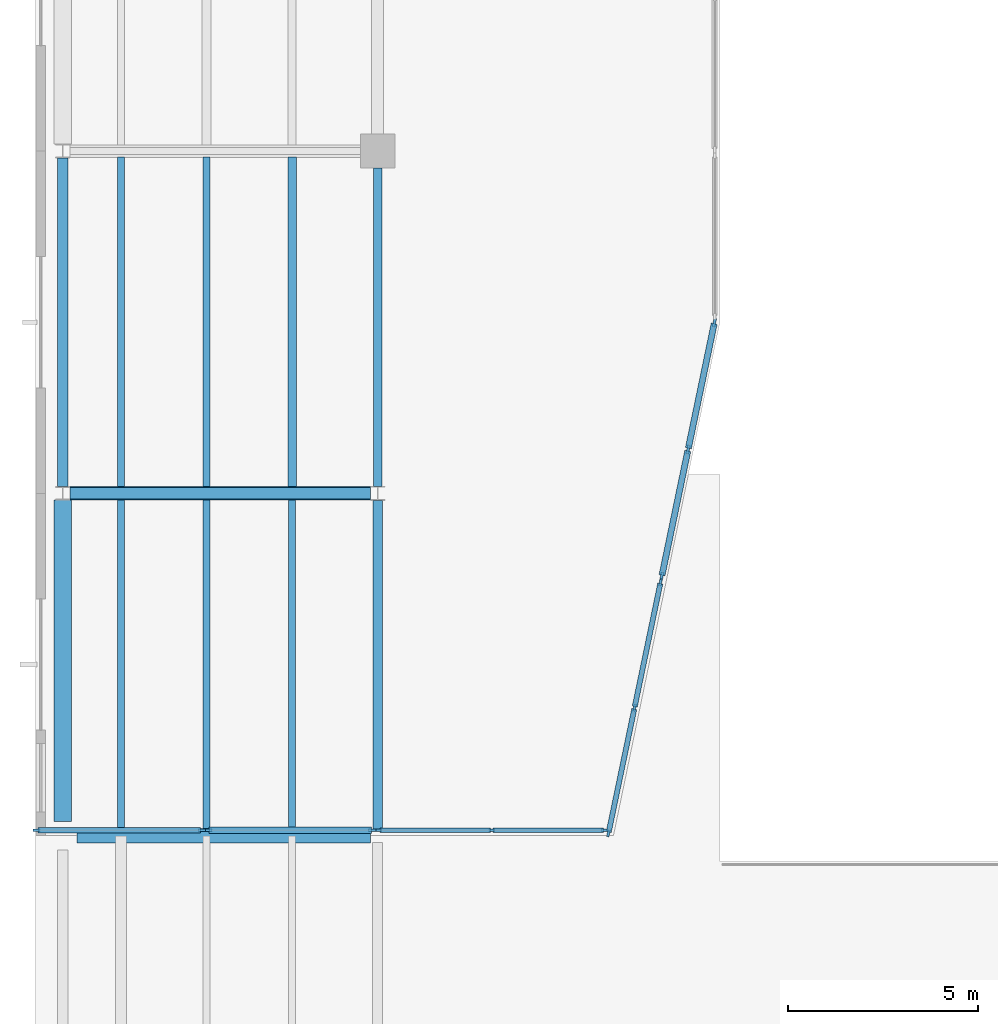
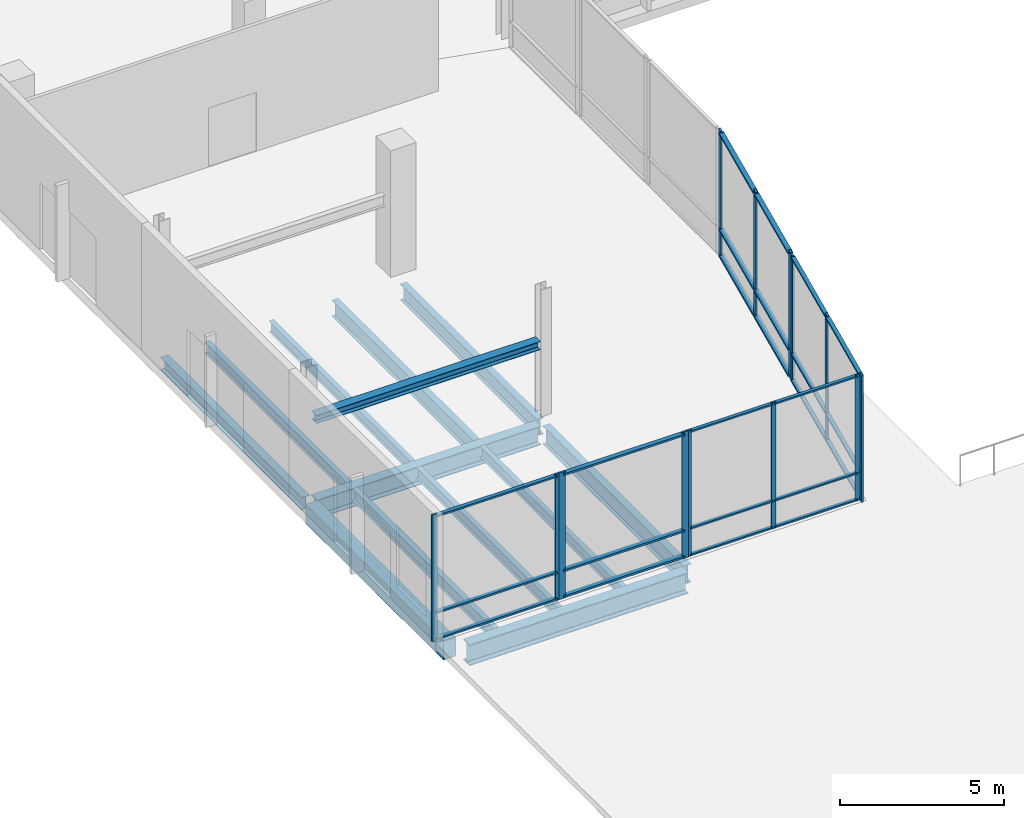
# One storey, part 18 of 88: 37 members, 13 beams, 5 elements without a shape of their own.
"""IFC4 building model written with IfcOpenShell, lengths in metres."""

from ifc_helpers import new_model, si_unit, direction, frame, origin, origin_2d, place, context, subcontext, project, spatial, rectangle, i_section, extrude, material, material_profile, profile_set, type_object, element, aggregate, save


model = new_model("IFC4")

# Units and contexts
model_context = context("Model", 3, precision=1e-05, world=origin(), true_north=direction((0.0, 1.0)))
body_context = subcontext(model_context, "Body", "Model", "MODEL_VIEW")
ifc_project = project(units=[si_unit("LENGTHUNIT", "METRE"), si_unit("AREAUNIT", "SQUARE_METRE"), si_unit("VOLUMEUNIT", "CUBIC_METRE"), si_unit("PLANEANGLEUNIT", "RADIAN"), si_unit("MASSUNIT", "GRAM", prefix="KILO")], contexts=[model_context])

# Site, building, storey
site_placement = place(None, origin())
site = spatial("IfcSite", under=ifc_project, at=site_placement, CompositionType="ELEMENT")
building_placement = place(site_placement, origin())
building = spatial("IfcBuilding", under=site, at=building_placement, Name="Trimount Lyric Opera House", CompositionType="ELEMENT")
storey_placement = place(building_placement, origin())
storey = spatial("IfcBuildingStorey", under=building, at=storey_placement, Name="L00", CompositionType="ELEMENT", Elevation=0.0)

# Beams
ifc_material_1 = material(Name="Steel ASTM A992 Grade 50", Category="steel")
ifc_material_profile_1 = material_profile(ifc_material_1, i_section(OverallWidth=0.382080078125, OverallDepth=0.779052734375, WebThickness=0.01806640625, FlangeThickness=0.0302734375, FilletRadius=0.01904296875, at=origin_2d()), Name="W30X191")
ifc_profile_set_1 = profile_set([ifc_material_profile_1], Name="Steel ASTM A992 Grade 50")
beam_type_1 = type_object("IfcBeamType", Name="B-06", PredefinedType="BEAM", material=ifc_profile_set_1)
beam_1_placement = place(storey_placement, frame((1.094970703125, 17.0, -0.7294921875), z_axis=(1.0, 0.0, 0.0), x_axis=(0.0, 1.0, 0.0)))
element("IfcBeam", 1, at=beam_1_placement, inside=storey, type_object=beam_type_1, Name="L00 girder X-0039", PredefinedType="BEAM", context=body_context, shape_type="SweptSolid", body=[
    extrude(i_section(OverallWidth=0.382080078125, OverallDepth=0.779052734375, WebThickness=0.01806640625, FlangeThickness=0.0302734375, FilletRadius=0.01904296875, at=origin_2d()), origin(), (0.0, 0.0, 1.0), 7.720947265625),
])
ifc_material_2 = material(Name="Steel ASTM A992 Grade 50", Category="steel")
ifc_material_profile_2 = material_profile(ifc_material_2, i_section(OverallWidth=0.35595703125, OverallDepth=0.700927734375, WebThickness=0.016845703125, FlangeThickness=0.02734375, FilletRadius=0.01806640625, at=origin_2d()), Name="W27X161")
ifc_profile_set_2 = profile_set([ifc_material_profile_2], Name="Steel ASTM A992 Grade 50")
beam_type_2 = type_object("IfcBeamType", Name="B-08", PredefinedType="BEAM", material=ifc_profile_set_2)
beam_2_placement = place(storey_placement, frame((0.904052734375, 26.0, -0.6904296875), z_axis=(1.0, 0.0, 0.0), x_axis=(0.0, 1.0, 0.0)))
element("IfcBeam", 2, at=beam_2_placement, inside=storey, type_object=beam_type_2, Name="L00 girder X-0054", PredefinedType="BEAM", context=body_context, shape_type="SweptSolid", body=[
    extrude(i_section(OverallWidth=0.35595703125, OverallDepth=0.700927734375, WebThickness=0.016845703125, FlangeThickness=0.02734375, FilletRadius=0.01806640625, at=origin_2d()), origin(), (0.0, 0.0, 1.0), 7.909423828125),
])
ifc_material_3 = material(Name="Steel ASTM A992 Grade 50", Category="steel")
ifc_material_profile_3 = material_profile(ifc_material_3, i_section(OverallWidth=0.25390625, OverallDepth=0.68798828125, WebThickness=0.01318359375, FlangeThickness=0.02099609375, FilletRadius=0.01611328125, at=origin_2d()), Name="W27X102")
ifc_profile_set_3 = profile_set([ifc_material_profile_3], Name="Steel ASTM A992 Grade 50")
beam_type_3 = type_object("IfcBeamType", Name="B-09", PredefinedType="BEAM", material=ifc_profile_set_3)
beam_3_placement = place(storey_placement, frame((9.0, 17.177978515625, -0.68408203125), z_axis=(0.0, 1.0, 0.0), x_axis=(-1.0, 0.0, 0.0)))
element("IfcBeam", 3, at=beam_3_placement, inside=storey, type_object=beam_type_3, Name="L00 girder Y-0252", PredefinedType="BEAM", context=body_context, shape_type="SweptSolid", body=[
    extrude(i_section(OverallWidth=0.25390625, OverallDepth=0.68798828125, WebThickness=0.01318359375, FlangeThickness=0.02099609375, FilletRadius=0.01611328125, at=origin_2d()), origin(), (0.0, 0.0, 1.0), 8.637939453125),
])
ifc_material_4 = material(Name="Steel ASTM A992 Grade 50", Category="steel")
ifc_material_profile_4 = material_profile(ifc_material_4, i_section(OverallWidth=0.22998046875, OverallDepth=0.616943359375, WebThickness=0.01318359375, FlangeThickness=0.022216796875, FilletRadius=0.013916015625, at=origin_2d()), Name="W24X94")
ifc_profile_set_4 = profile_set([ifc_material_profile_4], Name="Steel ASTM A992 Grade 50")
beam_type_4 = type_object("IfcBeamType", Name="B-11", PredefinedType="BEAM", material=ifc_profile_set_4)
beam_4_placement = place(storey_placement, frame((9.0, 26.18408203125, -0.6484375), z_axis=(0.0, 1.0, 0.0), x_axis=(-1.0, 0.0, 0.0)))
element("IfcBeam", 4, at=beam_4_placement, inside=storey, type_object=beam_type_4, Name="L00 girder Y-0253", PredefinedType="BEAM", context=body_context, shape_type="SweptSolid", body=[
    extrude(i_section(OverallWidth=0.22998046875, OverallDepth=0.616943359375, WebThickness=0.01318359375, FlangeThickness=0.022216796875, FilletRadius=0.013916015625, at=origin_2d()), origin(), (0.0, 0.0, 1.0), 8.365966796875),
])
ifc_material_5 = material(Name="Steel ASTM A992 Grade 50", Category="steel")
ifc_material_profile_5 = material_profile(ifc_material_5, i_section(OverallWidth=0.22802734375, OverallDepth=0.60205078125, WebThickness=0.010498046875, FlangeThickness=0.014892578125, FilletRadius=0.012939453125, at=origin_2d()), Name="W24X68")
ifc_profile_set_5 = profile_set([ifc_material_profile_5], Name="Steel ASTM A992 Grade 50")
beam_type_5 = type_object("IfcBeamType", Name="J-01", PredefinedType="BEAM", material=ifc_profile_set_5)
beam_5_placement = place(storey_placement, frame((6.75, 26.174072265625, -0.64111328125), z_axis=(0.0, 1.0, 0.0), x_axis=(-1.0, 0.0, 0.0)))
element("IfcBeam", 5, at=beam_5_placement, inside=storey, type_object=beam_type_5, Name="L00 composite floor joist 0012", PredefinedType="BEAM", context=body_context, shape_type="SweptSolid", body=[
    extrude(i_section(OverallWidth=0.22802734375, OverallDepth=0.60205078125, WebThickness=0.010498046875, FlangeThickness=0.014892578125, FilletRadius=0.012939453125, at=origin_2d()), origin(), (0.0, 0.0, 1.0), 8.666015625),
])
ifc_material_6 = material(Name="Steel ASTM A992 Grade 50", Category="steel")
ifc_material_profile_6 = material_profile(ifc_material_6, i_section(OverallWidth=0.19091796875, OverallDepth=0.45703125, WebThickness=0.009033203125, FlangeThickness=0.014404296875, FilletRadius=0.010986328125, at=origin_2d()), Name="W18X50")
ifc_profile_set_6 = profile_set([ifc_material_profile_6], Name="Steel ASTM A992 Grade 50")
beam_type_6 = type_object("IfcBeamType", Name="J-04", PredefinedType="BEAM", material=ifc_profile_set_6)
beam_6_placement = place(storey_placement, frame((2.25, 17.18701171875, -0.568603515625), z_axis=(0.0, 1.0, 0.0), x_axis=(-1.0, 0.0, 0.0)))
element("IfcBeam", 6, at=beam_6_placement, inside=storey, type_object=beam_type_6, Name="L00 composite floor joist 0007", PredefinedType="BEAM", context=body_context, shape_type="SweptSolid", body=[
    extrude(i_section(OverallWidth=0.19091796875, OverallDepth=0.45703125, WebThickness=0.009033203125, FlangeThickness=0.014404296875, FilletRadius=0.010986328125, at=origin_2d()), origin(), (0.0, 0.0, 1.0), 8.638916015625),
])
ifc_material_7 = material(Name="Steel ASTM A992 Grade 50", Category="steel")
ifc_material_profile_7 = material_profile(ifc_material_7, i_section(OverallWidth=0.180908203125, OverallDepth=0.4169921875, WebThickness=0.010986328125, FlangeThickness=0.018310546875, FilletRadius=0.010986328125, at=origin_2d()), Name="W16X57")
ifc_profile_set_7 = profile_set([ifc_material_profile_7], Name="Steel ASTM A992 Grade 50")
beam_type_7 = type_object("IfcBeamType", Name="J-05", PredefinedType="BEAM", material=ifc_profile_set_7)
beam_7_placement = place(storey_placement, frame((4.5, 17.18701171875, -0.548583984375), z_axis=(0.0, 1.0, 0.0), x_axis=(-1.0, 0.0, 0.0)))
element("IfcBeam", 7, at=beam_7_placement, inside=storey, type_object=beam_type_7, Name="L00 composite floor joist 0008", PredefinedType="BEAM", context=body_context, shape_type="SweptSolid", body=[
    extrude(i_section(OverallWidth=0.180908203125, OverallDepth=0.4169921875, WebThickness=0.010986328125, FlangeThickness=0.018310546875, FilletRadius=0.010986328125, at=origin_2d()), origin(), (0.0, 0.0, 1.0), 8.638916015625),
])
beam_8_placement = place(storey_placement, frame((2.25, 26.174072265625, -0.548583984375), z_axis=(0.0, 1.0, 0.0), x_axis=(-1.0, 0.0, 0.0)))
element("IfcBeam", 8, at=beam_8_placement, inside=storey, type_object=beam_type_7, Name="L00 composite floor joist 0010", PredefinedType="BEAM", context=body_context, shape_type="SweptSolid", body=[
    extrude(i_section(OverallWidth=0.180908203125, OverallDepth=0.4169921875, WebThickness=0.010986328125, FlangeThickness=0.018310546875, FilletRadius=0.010986328125, at=origin_2d()), origin(), (0.0, 0.0, 1.0), 8.666015625),
])
ifc_material_8 = material(Name="Steel ASTM A992 Grade 50", Category="steel")
ifc_material_profile_8 = material_profile(ifc_material_8, i_section(OverallWidth=0.177978515625, OverallDepth=0.404052734375, WebThickness=0.007568359375, FlangeThickness=0.010986328125, FilletRadius=0.010009765625, at=origin_2d()), Name="W16X36")
ifc_profile_set_8 = profile_set([ifc_material_profile_8], Name="Steel ASTM A992 Grade 50")
beam_type_8 = type_object("IfcBeamType", Name="J-06", PredefinedType="BEAM", material=ifc_profile_set_8)
beam_9_placement = place(storey_placement, frame((6.75, 17.18701171875, -0.5419921875), z_axis=(0.0, 1.0, 0.0), x_axis=(-1.0, 0.0, 0.0)))
element("IfcBeam", 9, at=beam_9_placement, inside=storey, type_object=beam_type_8, Name="L00 composite floor joist 0009", PredefinedType="BEAM", context=body_context, shape_type="SweptSolid", body=[
    extrude(i_section(OverallWidth=0.177978515625, OverallDepth=0.404052734375, WebThickness=0.007568359375, FlangeThickness=0.010986328125, FilletRadius=0.010009765625, at=origin_2d()), origin(), (0.0, 0.0, 1.0), 8.638916015625),
])
beam_10_placement = place(storey_placement, frame((4.5, 26.174072265625, -0.5419921875), z_axis=(0.0, 1.0, 0.0), x_axis=(-1.0, 0.0, 0.0)))
element("IfcBeam", 10, at=beam_10_placement, inside=storey, type_object=beam_type_8, Name="L00 composite floor joist 0011", PredefinedType="BEAM", context=body_context, shape_type="SweptSolid", body=[
    extrude(i_section(OverallWidth=0.177978515625, OverallDepth=0.404052734375, WebThickness=0.007568359375, FlangeThickness=0.010986328125, FilletRadius=0.010009765625, at=origin_2d()), origin(), (0.0, 0.0, 1.0), 8.666015625),
])
ifc_material_9 = material(Name="Steel ASTM A992 Grade 50", Category="steel")
ifc_material_profile_9 = material_profile(ifc_material_9, i_section(OverallWidth=0.304931640625, OverallDepth=0.306884765625, WebThickness=0.010009765625, FlangeThickness=0.015380859375, FilletRadius=0.012939453125, at=origin_2d()), Name="W12X65")
ifc_profile_set_9 = profile_set([ifc_material_profile_9], Name="Steel ASTM A992 Grade 50")
beam_type_9 = type_object("IfcBeamType", Name="LN-01", PredefinedType="LINTEL", material=ifc_profile_set_9)
beam_11_placement = place(storey_placement, frame((0.904052734375, 26.0, 2.64990234375), z_axis=(1.0, 0.0, 0.0), x_axis=(0.0, 1.0, 0.0)))
element("IfcBeam", 11, at=beam_11_placement, inside=storey, type_object=beam_type_9, Name="L00 interior portal lintel 01", PredefinedType="LINTEL", context=body_context, shape_type="SweptSolid", body=[
    extrude(i_section(OverallWidth=0.304931640625, OverallDepth=0.306884765625, WebThickness=0.010009765625, FlangeThickness=0.015380859375, FilletRadius=0.012939453125, at=origin_2d()), origin(), (0.0, 0.0, 1.0), 7.909423828125),
])

# Curtain wall, members
ifc_material_10 = material(Name="Thermally Broken Aluminium and Low-E Glass", Category="aluminium")
curtain_wall_type = type_object("IfcCurtainWallType", Name="CW-04", PredefinedType="NOTDEFINED", material=ifc_material_10)
curtain_wall_1_placement = place(storey_placement, origin())
curtain_wall_1 = element("IfcCurtainWall", 12, at=curtain_wall_1_placement, inside=storey, type_object=curtain_wall_type, Name="L00 curtain wall 009", PredefinedType="NOTDEFINED")
ifc_material_11 = material(Name="Anodised Aluminium 6063-T6", Category="aluminium")
ifc_material_profile_10 = material_profile(ifc_material_11, rectangle(XDim=0.070068359375, YDim=0.219970703125, at=origin_2d()), Name="ALU-MULL-70X220")
ifc_profile_set_10 = profile_set([ifc_material_profile_10], Name="Anodised Aluminium 6063-T6")
member_type_1 = type_object("IfcMemberType", Name="ML-01", PredefinedType="MULLION", material=ifc_profile_set_10)
member_1_placement = place(storey_placement, frame((17.85595703125, 30.49365234375, 0.0), z_axis=(0.0, 0.0, 1.0), x_axis=(0.979161058539, -0.203085256582, 0.0)))
member_1 = element("IfcMember", 13, at=member_1_placement, type_object=member_type_1, Name="CW-04 mullion 1", PredefinedType="MULLION", context=body_context, shape_type="SweptSolid", body=[
    extrude(rectangle(XDim=0.070068359375, YDim=0.219970703125, at=origin_2d()), origin(), (0.0, 0.0, 1.0), 4.719970703125),
])
member_2_placement = place(storey_placement, frame((17.1630859375, 27.153076171875, 0.0), z_axis=(0.0, 0.0, 1.0), x_axis=(0.979161058539, -0.203085256582, 0.0)))
member_2 = element("IfcMember", 14, at=member_2_placement, type_object=member_type_1, Name="CW-04 mullion 2", PredefinedType="MULLION", context=body_context, shape_type="SweptSolid", body=[
    extrude(rectangle(XDim=0.070068359375, YDim=0.219970703125, at=origin_2d()), origin(), (0.0, 0.0, 1.0), 4.719970703125),
])
member_3_placement = place(storey_placement, frame((16.47021484375, 23.812255859375, 0.0), z_axis=(0.0, 0.0, 1.0), x_axis=(0.979161058539, -0.203085256582, 0.0)))
member_3 = element("IfcMember", 15, at=member_3_placement, type_object=member_type_1, Name="CW-04 mullion 3", PredefinedType="MULLION", context=body_context, shape_type="SweptSolid", body=[
    extrude(rectangle(XDim=0.070068359375, YDim=0.219970703125, at=origin_2d()), origin(), (0.0, 0.0, 1.0), 4.719970703125),
])

curtain_wall_2_placement = place(storey_placement, origin())
curtain_wall_2 = element("IfcCurtainWall", 16, at=curtain_wall_2_placement, inside=storey, type_object=curtain_wall_type, Name="L00 curtain wall 012", PredefinedType="NOTDEFINED")
member_4_placement = place(storey_placement, frame((8.875, 17.139892578125, 0.0), z_axis=(0.0, 0.0, 1.0), x_axis=(0.0, -1.0, 0.0)))
member_4 = element("IfcMember", 17, at=member_4_placement, type_object=member_type_1, Name="CW-04 mullion 1", PredefinedType="MULLION", context=body_context, shape_type="SweptSolid", body=[
    extrude(rectangle(XDim=0.070068359375, YDim=0.219970703125, at=origin_2d()), origin(), (0.0, 0.0, 1.0), 4.719970703125),
])
member_5_placement = place(storey_placement, frame((4.534912109375, 17.139892578125, 0.0), z_axis=(0.0, 0.0, 1.0), x_axis=(0.0, -1.0, 0.0)))
member_5 = element("IfcMember", 18, at=member_5_placement, type_object=member_type_1, Name="CW-04 mullion 2", PredefinedType="MULLION", context=body_context, shape_type="SweptSolid", body=[
    extrude(rectangle(XDim=0.070068359375, YDim=0.219970703125, at=origin_2d()), origin(), (0.0, 0.0, 1.0), 4.719970703125),
])

curtain_wall_3_placement = place(storey_placement, origin())
curtain_wall_3 = element("IfcCurtainWall", 19, at=curtain_wall_3_placement, inside=storey, type_object=curtain_wall_type, Name="L00 curtain wall 010", PredefinedType="NOTDEFINED")
ifc_material_12 = material(Name="Anodised Aluminium 6063-T6", Category="aluminium")
ifc_material_profile_11 = material_profile(ifc_material_12, rectangle(XDim=0.06494140625, YDim=0.179931640625, at=origin_2d()), Name="ALU-MULL-65X180")
ifc_profile_set_11 = profile_set([ifc_material_profile_11], Name="Anodised Aluminium 6063-T6")
member_type_2 = type_object("IfcMemberType", Name="ML-02", PredefinedType="MULLION", material=ifc_profile_set_11)
member_6_placement = place(storey_placement, frame((16.4384765625, 23.658203125, 0.0), z_axis=(0.0, 0.0, 1.0), x_axis=(0.979153697115, -0.203120745927, 0.0)))
member_6 = element("IfcMember", 20, at=member_6_placement, type_object=member_type_2, Name="CW-04 mullion 1", PredefinedType="MULLION", context=body_context, shape_type="SweptSolid", body=[
    extrude(rectangle(XDim=0.06494140625, YDim=0.179931640625, at=origin_2d()), origin(), (0.0, 0.0, 1.0), 4.719970703125),
])
member_7_placement = place(storey_placement, frame((15.75390625, 20.35888671875, 0.0), z_axis=(0.0, 0.0, 1.0), x_axis=(0.979153697115, -0.203120745927, 0.0)))
member_7 = element("IfcMember", 21, at=member_7_placement, type_object=member_type_2, Name="CW-04 mullion 2", PredefinedType="MULLION", context=body_context, shape_type="SweptSolid", body=[
    extrude(rectangle(XDim=0.06494140625, YDim=0.179931640625, at=origin_2d()), origin(), (0.0, 0.0, 1.0), 4.719970703125),
])
member_8_placement = place(storey_placement, frame((15.069580078125, 17.059814453125, 0.0), z_axis=(0.0, 0.0, 1.0), x_axis=(0.979153697115, -0.203120745927, 0.0)))
member_8 = element("IfcMember", 22, at=member_8_placement, type_object=member_type_2, Name="CW-04 mullion 3", PredefinedType="MULLION", context=body_context, shape_type="SweptSolid", body=[
    extrude(rectangle(XDim=0.06494140625, YDim=0.179931640625, at=origin_2d()), origin(), (0.0, 0.0, 1.0), 4.719970703125),
])

curtain_wall_4_placement = place(storey_placement, origin())
curtain_wall_4 = element("IfcCurtainWall", 23, at=curtain_wall_4_placement, inside=storey, type_object=curtain_wall_type, Name="L00 curtain wall 013", PredefinedType="NOTDEFINED")
member_9_placement = place(storey_placement, frame((4.37744140625, 17.139892578125, 0.0), z_axis=(0.0, 0.0, 1.0), x_axis=(0.0, -1.0, 0.0)))
member_9 = element("IfcMember", 24, at=member_9_placement, type_object=member_type_2, Name="CW-04 mullion 1", PredefinedType="MULLION", context=body_context, shape_type="SweptSolid", body=[
    extrude(rectangle(XDim=0.06494140625, YDim=0.179931640625, at=origin_2d()), origin(), (0.0, 0.0, 1.0), 4.719970703125),
])
member_10_placement = place(storey_placement, frame((0.032470703125, 17.139892578125, 0.0), z_axis=(0.0, 0.0, 1.0), x_axis=(0.0, -1.0, 0.0)))
member_10 = element("IfcMember", 25, at=member_10_placement, type_object=member_type_2, Name="CW-04 mullion 2", PredefinedType="MULLION", context=body_context, shape_type="SweptSolid", body=[
    extrude(rectangle(XDim=0.06494140625, YDim=0.179931640625, at=origin_2d()), origin(), (0.0, 0.0, 1.0), 4.719970703125),
])

curtain_wall_5_placement = place(storey_placement, origin())
curtain_wall_5 = element("IfcCurtainWall", 26, at=curtain_wall_5_placement, inside=storey, type_object=curtain_wall_type, Name="L00 curtain wall 011", PredefinedType="NOTDEFINED")
ifc_material_13 = material(Name="Anodised Aluminium 6063-T6", Category="aluminium")
ifc_material_profile_12 = material_profile(ifc_material_13, rectangle(XDim=0.06005859375, YDim=0.14990234375, at=origin_2d()), Name="ALU-MULL-60X150")
ifc_profile_set_12 = profile_set([ifc_material_profile_12], Name="Anodised Aluminium 6063-T6")
member_type_3 = type_object("IfcMemberType", Name="ML-03", PredefinedType="MULLION", material=ifc_profile_set_12)
member_11_placement = place(storey_placement, frame((14.964111328125, 17.139892578125, 0.0), z_axis=(0.0, 0.0, 1.0), x_axis=(0.0, -1.0, 0.0)))
member_11 = element("IfcMember", 27, at=member_11_placement, type_object=member_type_3, Name="CW-04 mullion 1", PredefinedType="MULLION", context=body_context, shape_type="SweptSolid", body=[
    extrude(rectangle(XDim=0.06005859375, YDim=0.14990234375, at=origin_2d()), origin(), (0.0, 0.0, 1.0), 4.719970703125),
])
member_12_placement = place(storey_placement, frame((11.9970703125, 17.139892578125, 0.0), z_axis=(0.0, 0.0, 1.0), x_axis=(0.0, -1.0, 0.0)))
member_12 = element("IfcMember", 28, at=member_12_placement, type_object=member_type_3, Name="CW-04 mullion 2", PredefinedType="MULLION", context=body_context, shape_type="SweptSolid", body=[
    extrude(rectangle(XDim=0.06005859375, YDim=0.14990234375, at=origin_2d()), origin(), (0.0, 0.0, 1.0), 4.719970703125),
])
member_13_placement = place(storey_placement, frame((9.030029296875, 17.139892578125, 0.0), z_axis=(0.0, 0.0, 1.0), x_axis=(0.0, -1.0, 0.0)))
member_13 = element("IfcMember", 29, at=member_13_placement, type_object=member_type_3, Name="CW-04 mullion 3", PredefinedType="MULLION", context=body_context, shape_type="SweptSolid", body=[
    extrude(rectangle(XDim=0.06005859375, YDim=0.14990234375, at=origin_2d()), origin(), (0.0, 0.0, 1.0), 4.719970703125),
])

# Beams
ifc_material_14 = material(Name="Steel ASTM A992 Grade 50", Category="steel")
ifc_material_profile_13 = material_profile(ifc_material_14, i_section(OverallWidth=0.281982421875, OverallDepth=0.467041015625, WebThickness=0.01220703125, FlangeThickness=0.01953125, FilletRadius=0.012939453125, at=origin_2d()), Name="W18X86")
ifc_profile_set_13 = profile_set([ifc_material_profile_13], Name="Steel ASTM A992 Grade 50")
beam_type_10 = type_object("IfcBeamType", Name="SP-01", PredefinedType="SPANDREL", material=ifc_profile_set_13)
beam_12_placement = place(storey_placement, frame((0.719970703125, 26.177978515625, -0.573486328125), z_axis=(0.0, 1.0, 0.0), x_axis=(-1.0, 0.0, 0.0)))
element("IfcBeam", 30, at=beam_12_placement, inside=storey, type_object=beam_type_10, Name="L00 girder Y-0240", PredefinedType="SPANDREL", context=body_context, shape_type="SweptSolid", body=[
    extrude(i_section(OverallWidth=0.281982421875, OverallDepth=0.467041015625, WebThickness=0.01220703125, FlangeThickness=0.01953125, FilletRadius=0.012939453125, at=origin_2d()), origin(), (0.0, 0.0, 1.0), 8.637939453125),
])
ifc_material_15 = material(Name="Concrete C40/50", Category="concrete")
ifc_material_profile_14 = material_profile(ifc_material_15, rectangle(XDim=0.449951171875, YDim=0.699951171875, at=origin_2d()), Name="RC450X700")
ifc_profile_set_14 = profile_set([ifc_material_profile_14], Name="Concrete C40/50")
beam_type_11 = type_object("IfcBeamType", Name="SP-02", PredefinedType="SPANDREL", material=ifc_profile_set_14)
beam_13_placement = place(storey_placement, frame((0.719970703125, 17.375, -0.68994140625), z_axis=(0.0, 1.0, 0.0), x_axis=(-1.0, 0.0, 0.0)))
element("IfcBeam", 31, at=beam_13_placement, inside=storey, type_object=beam_type_11, Name="L00 girder Y-0239", PredefinedType="SPANDREL", context=body_context, shape_type="SweptSolid", body=[
    extrude(rectangle(XDim=0.449951171875, YDim=0.699951171875, at=origin_2d()), origin(), (0.0, 0.0, 1.0), 8.447021484375),
])

# Member
ifc_material_16 = material(Name="Anodised Aluminium 6063-T6", Category="aluminium")
ifc_material_profile_15 = material_profile(ifc_material_16, rectangle(XDim=0.159912109375, YDim=0.070068359375, at=origin_2d()), Name="ALU-TRAN-70X160")
ifc_profile_set_15 = profile_set([ifc_material_profile_15], Name="Anodised Aluminium 6063-T6")
member_type_4 = type_object("IfcMemberType", Name="TR-01", PredefinedType="USERDEFINED", material=ifc_profile_set_15)
member_14_placement = place(storey_placement, frame((17.848876953125, 30.45947265625, 0.080078125), z_axis=(-0.203093557873, -0.979159336753, 0.0), x_axis=(0.979159336753, -0.203093557873, 0.0)))
member_14 = element("IfcMember", 32, at=member_14_placement, type_object=member_type_4, Name="CW-04 transom 1.1", ObjectType="TRANSOM", PredefinedType="USERDEFINED", context=body_context, shape_type="SweptSolid", body=[
    extrude(rectangle(XDim=0.159912109375, YDim=0.070068359375, at=origin_2d()), origin(), (0.0, 0.0, 1.0), 3.341796875),
])

member_15_placement = place(storey_placement, frame((17.848876953125, 30.45947265625, 1.050048828125), z_axis=(-0.203093557873, -0.979159336753, 0.0), x_axis=(0.979159336753, -0.203093557873, 0.0)))
member_15 = element("IfcMember", 33, at=member_15_placement, type_object=member_type_4, Name="CW-04 transom 1.2", ObjectType="TRANSOM", PredefinedType="USERDEFINED", context=body_context, shape_type="SweptSolid", body=[
    extrude(rectangle(XDim=0.159912109375, YDim=0.070068359375, at=origin_2d()), origin(), (0.0, 0.0, 1.0), 3.341796875),
])

member_16_placement = place(storey_placement, frame((17.848876953125, 30.45947265625, 4.639892578125), z_axis=(-0.203093557873, -0.979159336753, 0.0), x_axis=(0.979159336753, -0.203093557873, 0.0)))
member_16 = element("IfcMember", 34, at=member_16_placement, type_object=member_type_4, Name="CW-04 transom 1.3", ObjectType="TRANSOM", PredefinedType="USERDEFINED", context=body_context, shape_type="SweptSolid", body=[
    extrude(rectangle(XDim=0.159912109375, YDim=0.070068359375, at=origin_2d()), origin(), (0.0, 0.0, 1.0), 3.341796875),
])

member_17_placement = place(storey_placement, frame((17.156005859375, 27.11865234375, 0.080078125), z_axis=(-0.203093557873, -0.979159336753, 0.0), x_axis=(0.979159336753, -0.203093557873, 0.0)))
member_17 = element("IfcMember", 35, at=member_17_placement, type_object=member_type_4, Name="CW-04 transom 2.1", ObjectType="TRANSOM", PredefinedType="USERDEFINED", context=body_context, shape_type="SweptSolid", body=[
    extrude(rectangle(XDim=0.159912109375, YDim=0.070068359375, at=origin_2d()), origin(), (0.0, 0.0, 1.0), 3.341796875),
])

member_18_placement = place(storey_placement, frame((17.156005859375, 27.11865234375, 1.050048828125), z_axis=(-0.203093557873, -0.979159336753, 0.0), x_axis=(0.979159336753, -0.203093557873, 0.0)))
member_18 = element("IfcMember", 36, at=member_18_placement, type_object=member_type_4, Name="CW-04 transom 2.2", ObjectType="TRANSOM", PredefinedType="USERDEFINED", context=body_context, shape_type="SweptSolid", body=[
    extrude(rectangle(XDim=0.159912109375, YDim=0.070068359375, at=origin_2d()), origin(), (0.0, 0.0, 1.0), 3.341796875),
])

member_19_placement = place(storey_placement, frame((17.156005859375, 27.11865234375, 4.639892578125), z_axis=(-0.203093557873, -0.979159336753, 0.0), x_axis=(0.979159336753, -0.203093557873, 0.0)))
member_19 = element("IfcMember", 37, at=member_19_placement, type_object=member_type_4, Name="CW-04 transom 2.3", ObjectType="TRANSOM", PredefinedType="USERDEFINED", context=body_context, shape_type="SweptSolid", body=[
    extrude(rectangle(XDim=0.159912109375, YDim=0.070068359375, at=origin_2d()), origin(), (0.0, 0.0, 1.0), 3.341796875),
])

aggregate(curtain_wall_1, [member_1, member_2, member_3, member_14, member_15, member_16, member_17, member_18, member_19])

member_20_placement = place(storey_placement, frame((8.840087890625, 17.139892578125, 0.080078125), z_axis=(-1.0, 0.0, 0.0), x_axis=(0.0, -1.0, 0.0)))
member_20 = element("IfcMember", 38, at=member_20_placement, type_object=member_type_4, Name="CW-04 transom 1.1", ObjectType="TRANSOM", PredefinedType="USERDEFINED", context=body_context, shape_type="SweptSolid", body=[
    extrude(rectangle(XDim=0.159912109375, YDim=0.070068359375, at=origin_2d()), origin(), (0.0, 0.0, 1.0), 4.27001953125),
])

member_21_placement = place(storey_placement, frame((8.840087890625, 17.139892578125, 1.050048828125), z_axis=(-1.0, 0.0, 0.0), x_axis=(0.0, -1.0, 0.0)))
member_21 = element("IfcMember", 39, at=member_21_placement, type_object=member_type_4, Name="CW-04 transom 1.2", ObjectType="TRANSOM", PredefinedType="USERDEFINED", context=body_context, shape_type="SweptSolid", body=[
    extrude(rectangle(XDim=0.159912109375, YDim=0.070068359375, at=origin_2d()), origin(), (0.0, 0.0, 1.0), 4.27001953125),
])

member_22_placement = place(storey_placement, frame((8.840087890625, 17.139892578125, 4.639892578125), z_axis=(-1.0, 0.0, 0.0), x_axis=(0.0, -1.0, 0.0)))
member_22 = element("IfcMember", 40, at=member_22_placement, type_object=member_type_4, Name="CW-04 transom 1.3", ObjectType="TRANSOM", PredefinedType="USERDEFINED", context=body_context, shape_type="SweptSolid", body=[
    extrude(rectangle(XDim=0.159912109375, YDim=0.070068359375, at=origin_2d()), origin(), (0.0, 0.0, 1.0), 4.27001953125),
])

aggregate(curtain_wall_2, [member_4, member_5, member_20, member_21, member_22])

ifc_material_17 = material(Name="Anodised Aluminium 6063-T6", Category="aluminium")
ifc_material_profile_16 = material_profile(ifc_material_17, rectangle(XDim=0.135009765625, YDim=0.06494140625, at=origin_2d()), Name="ALU-TRAN-65X135")
ifc_profile_set_16 = profile_set([ifc_material_profile_16], Name="Anodised Aluminium 6063-T6")
member_type_5 = type_object("IfcMemberType", Name="TR-02", PredefinedType="USERDEFINED", material=ifc_profile_set_16)
member_23_placement = place(storey_placement, frame((16.431884765625, 23.62646484375, 0.0673828125), z_axis=(-0.203172355051, -0.979142989631, 0.0), x_axis=(0.979142989631, -0.203172355051, 0.0)))
member_23 = element("IfcMember", 41, at=member_23_placement, type_object=member_type_5, Name="CW-04 transom 1.1", ObjectType="TRANSOM", PredefinedType="USERDEFINED", context=body_context, shape_type="SweptSolid", body=[
    extrude(rectangle(XDim=0.135009765625, YDim=0.06494140625, at=origin_2d()), origin(), (0.0, 0.0, 1.0), 3.304443359375),
])

member_24_placement = place(storey_placement, frame((16.431884765625, 23.62646484375, 1.050048828125), z_axis=(-0.203172355051, -0.979142989631, 0.0), x_axis=(0.979142989631, -0.203172355051, 0.0)))
member_24 = element("IfcMember", 42, at=member_24_placement, type_object=member_type_5, Name="CW-04 transom 1.2", ObjectType="TRANSOM", PredefinedType="USERDEFINED", context=body_context, shape_type="SweptSolid", body=[
    extrude(rectangle(XDim=0.135009765625, YDim=0.06494140625, at=origin_2d()), origin(), (0.0, 0.0, 1.0), 3.304443359375),
])

member_25_placement = place(storey_placement, frame((16.431884765625, 23.62646484375, 4.652587890625), z_axis=(-0.203172355051, -0.979142989631, 0.0), x_axis=(0.979142989631, -0.203172355051, 0.0)))
member_25 = element("IfcMember", 43, at=member_25_placement, type_object=member_type_5, Name="CW-04 transom 1.3", ObjectType="TRANSOM", PredefinedType="USERDEFINED", context=body_context, shape_type="SweptSolid", body=[
    extrude(rectangle(XDim=0.135009765625, YDim=0.06494140625, at=origin_2d()), origin(), (0.0, 0.0, 1.0), 3.304443359375),
])

member_26_placement = place(storey_placement, frame((15.747314453125, 20.3271484375, 0.0673828125), z_axis=(-0.203101522328, -0.979157684762, 0.0), x_axis=(0.979157684762, -0.203101522328, 0.0)))
member_26 = element("IfcMember", 44, at=member_26_placement, type_object=member_type_5, Name="CW-04 transom 2.1", ObjectType="TRANSOM", PredefinedType="USERDEFINED", context=body_context, shape_type="SweptSolid", body=[
    extrude(rectangle(XDim=0.135009765625, YDim=0.06494140625, at=origin_2d()), origin(), (0.0, 0.0, 1.0), 3.304443359375),
])

member_27_placement = place(storey_placement, frame((15.747314453125, 20.3271484375, 1.050048828125), z_axis=(-0.203101522328, -0.979157684762, 0.0), x_axis=(0.979157684762, -0.203101522328, 0.0)))
member_27 = element("IfcMember", 45, at=member_27_placement, type_object=member_type_5, Name="CW-04 transom 2.2", ObjectType="TRANSOM", PredefinedType="USERDEFINED", context=body_context, shape_type="SweptSolid", body=[
    extrude(rectangle(XDim=0.135009765625, YDim=0.06494140625, at=origin_2d()), origin(), (0.0, 0.0, 1.0), 3.304443359375),
])

member_28_placement = place(storey_placement, frame((15.747314453125, 20.3271484375, 4.652587890625), z_axis=(-0.203101522328, -0.979157684762, 0.0), x_axis=(0.979157684762, -0.203101522328, 0.0)))
member_28 = element("IfcMember", 46, at=member_28_placement, type_object=member_type_5, Name="CW-04 transom 2.3", ObjectType="TRANSOM", PredefinedType="USERDEFINED", context=body_context, shape_type="SweptSolid", body=[
    extrude(rectangle(XDim=0.135009765625, YDim=0.06494140625, at=origin_2d()), origin(), (0.0, 0.0, 1.0), 3.304443359375),
])

aggregate(curtain_wall_3, [member_6, member_7, member_8, member_23, member_24, member_25, member_26, member_27, member_28])

member_29_placement = place(storey_placement, frame((4.344970703125, 17.139892578125, 0.0673828125), z_axis=(-1.0, 0.0, 0.0), x_axis=(0.0, -1.0, 0.0)))
member_29 = element("IfcMember", 47, at=member_29_placement, type_object=member_type_5, Name="CW-04 transom 1.1", ObjectType="TRANSOM", PredefinedType="USERDEFINED", context=body_context, shape_type="SweptSolid", body=[
    extrude(rectangle(XDim=0.135009765625, YDim=0.06494140625, at=origin_2d()), origin(), (0.0, 0.0, 1.0), 4.280029296875),
])

member_30_placement = place(storey_placement, frame((4.344970703125, 17.139892578125, 1.050048828125), z_axis=(-1.0, 0.0, 0.0), x_axis=(0.0, -1.0, 0.0)))
member_30 = element("IfcMember", 48, at=member_30_placement, type_object=member_type_5, Name="CW-04 transom 1.2", ObjectType="TRANSOM", PredefinedType="USERDEFINED", context=body_context, shape_type="SweptSolid", body=[
    extrude(rectangle(XDim=0.135009765625, YDim=0.06494140625, at=origin_2d()), origin(), (0.0, 0.0, 1.0), 4.280029296875),
])

member_31_placement = place(storey_placement, frame((4.344970703125, 17.139892578125, 4.652587890625), z_axis=(-1.0, 0.0, 0.0), x_axis=(0.0, -1.0, 0.0)))
member_31 = element("IfcMember", 49, at=member_31_placement, type_object=member_type_5, Name="CW-04 transom 1.3", ObjectType="TRANSOM", PredefinedType="USERDEFINED", context=body_context, shape_type="SweptSolid", body=[
    extrude(rectangle(XDim=0.135009765625, YDim=0.06494140625, at=origin_2d()), origin(), (0.0, 0.0, 1.0), 4.280029296875),
])

aggregate(curtain_wall_4, [member_9, member_10, member_29, member_30, member_31])

ifc_material_18 = material(Name="Anodised Aluminium 6063-T6", Category="aluminium")
ifc_material_profile_17 = material_profile(ifc_material_18, rectangle(XDim=0.114990234375, YDim=0.06005859375, at=origin_2d()), Name="ALU-TRAN-60X115")
ifc_profile_set_17 = profile_set([ifc_material_profile_17], Name="Anodised Aluminium 6063-T6")
member_type_6 = type_object("IfcMemberType", Name="TR-03", PredefinedType="USERDEFINED", material=ifc_profile_set_17)
member_32_placement = place(storey_placement, frame((14.93408203125, 17.139892578125, 0.0576171875), z_axis=(-1.0, 0.0, 0.0), x_axis=(0.0, -1.0, 0.0)))
member_32 = element("IfcMember", 50, at=member_32_placement, type_object=member_type_6, Name="CW-04 transom 1.1", ObjectType="TRANSOM", PredefinedType="USERDEFINED", context=body_context, shape_type="SweptSolid", body=[
    extrude(rectangle(XDim=0.114990234375, YDim=0.06005859375, at=origin_2d()), origin(), (0.0, 0.0, 1.0), 2.906982421875),
])

member_33_placement = place(storey_placement, frame((14.93408203125, 17.139892578125, 1.050048828125), z_axis=(-1.0, 0.0, 0.0), x_axis=(0.0, -1.0, 0.0)))
member_33 = element("IfcMember", 51, at=member_33_placement, type_object=member_type_6, Name="CW-04 transom 1.2", ObjectType="TRANSOM", PredefinedType="USERDEFINED", context=body_context, shape_type="SweptSolid", body=[
    extrude(rectangle(XDim=0.114990234375, YDim=0.06005859375, at=origin_2d()), origin(), (0.0, 0.0, 1.0), 2.906982421875),
])

member_34_placement = place(storey_placement, frame((14.93408203125, 17.139892578125, 4.66259765625), z_axis=(-1.0, 0.0, 0.0), x_axis=(0.0, -1.0, 0.0)))
member_34 = element("IfcMember", 52, at=member_34_placement, type_object=member_type_6, Name="CW-04 transom 1.3", ObjectType="TRANSOM", PredefinedType="USERDEFINED", context=body_context, shape_type="SweptSolid", body=[
    extrude(rectangle(XDim=0.114990234375, YDim=0.06005859375, at=origin_2d()), origin(), (0.0, 0.0, 1.0), 2.906982421875),
])

member_35_placement = place(storey_placement, frame((11.967041015625, 17.139892578125, 0.0576171875), z_axis=(-1.0, 0.0, 0.0), x_axis=(0.0, -1.0, 0.0)))
member_35 = element("IfcMember", 53, at=member_35_placement, type_object=member_type_6, Name="CW-04 transom 2.1", ObjectType="TRANSOM", PredefinedType="USERDEFINED", context=body_context, shape_type="SweptSolid", body=[
    extrude(rectangle(XDim=0.114990234375, YDim=0.06005859375, at=origin_2d()), origin(), (0.0, 0.0, 1.0), 2.906982421875),
])

member_36_placement = place(storey_placement, frame((11.967041015625, 17.139892578125, 1.050048828125), z_axis=(-1.0, 0.0, 0.0), x_axis=(0.0, -1.0, 0.0)))
member_36 = element("IfcMember", 54, at=member_36_placement, type_object=member_type_6, Name="CW-04 transom 2.2", ObjectType="TRANSOM", PredefinedType="USERDEFINED", context=body_context, shape_type="SweptSolid", body=[
    extrude(rectangle(XDim=0.114990234375, YDim=0.06005859375, at=origin_2d()), origin(), (0.0, 0.0, 1.0), 2.906982421875),
])

member_37_placement = place(storey_placement, frame((11.967041015625, 17.139892578125, 4.66259765625), z_axis=(-1.0, 0.0, 0.0), x_axis=(0.0, -1.0, 0.0)))
member_37 = element("IfcMember", 55, at=member_37_placement, type_object=member_type_6, Name="CW-04 transom 2.3", ObjectType="TRANSOM", PredefinedType="USERDEFINED", context=body_context, shape_type="SweptSolid", body=[
    extrude(rectangle(XDim=0.114990234375, YDim=0.06005859375, at=origin_2d()), origin(), (0.0, 0.0, 1.0), 2.906982421875),
])

aggregate(curtain_wall_5, [member_11, member_12, member_13, member_32, member_33, member_34, member_35, member_36, member_37])

save(model, "model.ifc")
